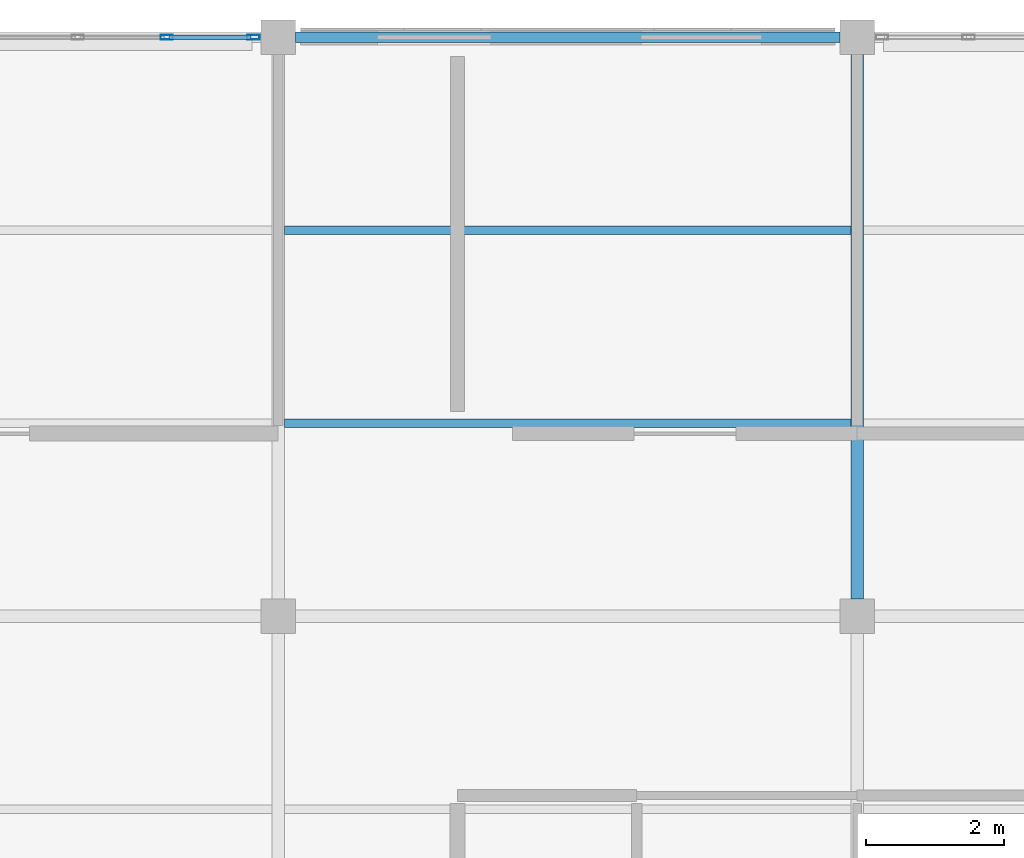
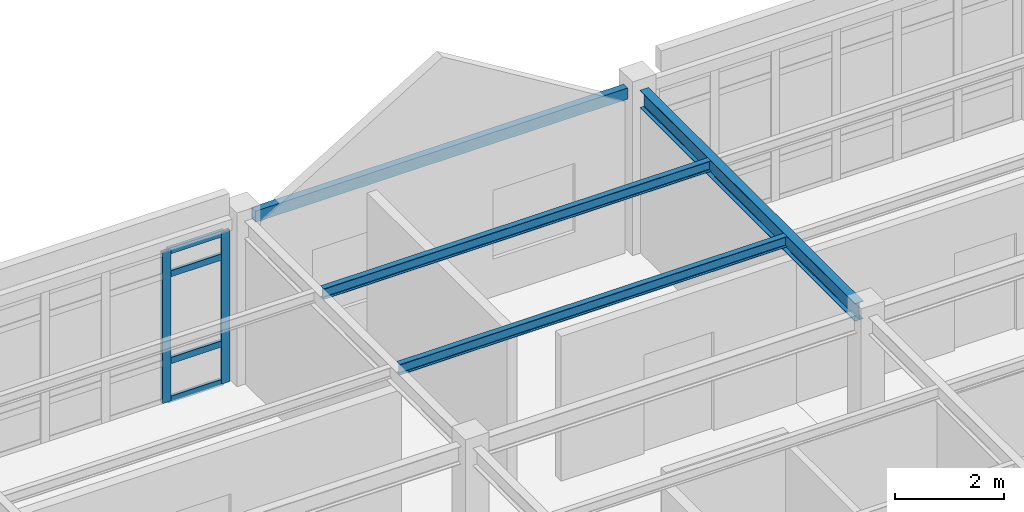
# One storey, part 25 of 45: 6 members, 4 beams, 1 element without a shape of its own.
"""IFC4 building model written with IfcOpenShell, lengths in metres."""

from ifc_helpers import new_model, si_unit, direction, frame, origin, origin_2d, place, context, subcontext, project, spatial, hollow_rectangle, i_section, extrude, material, layer, layer_set, material_profile, profile_set, type_object, element, aggregate, save


model = new_model("IFC4")

# Units and contexts
model_context = context("Model", 3, precision=1e-05, world=origin(), true_north=direction((0.0, 1.0)))
body_context = subcontext(model_context, "Body", "Model", "MODEL_VIEW")
ifc_project = project(units=[si_unit("LENGTHUNIT", "METRE"), si_unit("AREAUNIT", "SQUARE_METRE"), si_unit("VOLUMEUNIT", "CUBIC_METRE"), si_unit("PLANEANGLEUNIT", "RADIAN"), si_unit("MASSUNIT", "GRAM", prefix="KILO")], contexts=[model_context])

# Site, building, storey
site_placement = place(None, origin())
site = spatial("IfcSite", under=ifc_project, at=site_placement, CompositionType="ELEMENT")
building_placement = place(site_placement, origin())
building = spatial("IfcBuilding", under=site, at=building_placement, Name="Bramfleet General Hospital", CompositionType="ELEMENT")
storey_placement = place(building_placement, frame((0.0, 0.0, 30.300048828125)))
storey = spatial("IfcBuildingStorey", under=building, at=storey_placement, Name="L07", CompositionType="ELEMENT", Elevation=30.300048828125)

# Beams
ifc_material_1 = material(Name="Steel S355", Category="steel")
ifc_material_profile_1 = material_profile(ifc_material_1, i_section(OverallWidth=0.1201171875, OverallDepth=0.239990234375, WebThickness=0.006103515625, FlangeThickness=0.009765625, FilletRadius=0.014892578125, at=origin_2d()), Name="IPE 240")
ifc_profile_set_1 = profile_set([ifc_material_profile_1], Name="Steel S355")
beam_type_1 = type_object("IfcBeamType", Name="BM-IPE240", PredefinedType="JOIST", material=ifc_profile_set_1)
for number, where, z_axis, x_axis, name in (
    (1, (109.2900390625, 112.0, 3.5400390625), (1.0, 0.0, 0.0), (0.0, 1.0, 0.0), "L07 Secondary Joist 13-13-1"),
    (2, (109.2900390625, 114.800048828125, 3.5400390625), (1.0, 0.0, 0.0), (0.0, 1.0, 0.0), "L07 Secondary Joist 13-13-2"),
):
    element("IfcBeam", number, at=place(storey_placement, frame(where, z_axis=z_axis, x_axis=x_axis)), inside=storey, type_object=beam_type_1, Name=name, PredefinedType="JOIST", context=body_context, shape_type="SweptSolid", body=[
        extrude(i_section(OverallWidth=0.1201171875, OverallDepth=0.239990234375, WebThickness=0.006103515625, FlangeThickness=0.009765625, FilletRadius=0.014892578125, at=origin_2d()), origin(), (0.0, 0.0, 1.0), 8.219970703125),
    ])
ifc_material_profile_2 = material_profile(ifc_material_1, i_section(OverallWidth=0.179931640625, OverallDepth=0.39990234375, WebThickness=0.008544921875, FlangeThickness=0.013427734375, FilletRadius=0.02099609375, at=origin_2d()), Name="IPE 400")
ifc_profile_set_2 = profile_set([ifc_material_profile_2], Name="Steel S355")
beam_type_2 = type_object("IfcBeamType", Name="BM-IPE400", PredefinedType="BEAM", material=ifc_profile_set_2)
beam_1_placement = place(storey_placement, frame((117.60009765625, 109.449951171875, 3.4599609375), z_axis=(0.0, 1.0, 0.0), x_axis=(-1.0, 0.0, 0.0)))
element("IfcBeam", 3, at=beam_1_placement, inside=storey, type_object=beam_type_2, Name="L07 Grid Beam Y 14-13", PredefinedType="BEAM", context=body_context, shape_type="SweptSolid", body=[
    extrude(i_section(OverallWidth=0.179931640625, OverallDepth=0.39990234375, WebThickness=0.008544921875, FlangeThickness=0.013427734375, FilletRadius=0.02099609375, at=origin_2d()), origin(), (0.0, 0.0, 1.0), 7.900146484375),
])
ifc_material_profile_3 = material_profile(ifc_material_1, hollow_rectangle(XDim=0.14990234375, YDim=0.25, WallThickness=0.010009765625, at=origin_2d()), Name="RHS 250x150x10.0")
ifc_profile_set_3 = profile_set([ifc_material_profile_3], Name="Steel S355")
beam_type_3 = type_object("IfcBeamType", Name="BM-RHS250", PredefinedType="SPANDREL", material=ifc_profile_set_3)
beam_2_placement = place(storey_placement, frame((109.449951171875, 117.60009765625, 3.534912109375), z_axis=(1.0, 0.0, 0.0), x_axis=(0.0, 1.0, 0.0)))
element("IfcBeam", 4, at=beam_2_placement, inside=storey, type_object=beam_type_3, Name="L07 Grid Beam X 13-14", PredefinedType="SPANDREL", context=body_context, shape_type="SweptSolid", body=[
    extrude(hollow_rectangle(XDim=0.14990234375, YDim=0.25, WallThickness=0.010009765625, at=origin_2d()), origin(), (0.0, 0.0, 1.0), 7.900146484375),
])

# Curtain wall, members
ifc_material_2 = material(Name="Anodised aluminium and low-E triple glazing", Category="aluminium")
ifc_layer = layer(ifc_material_2, 0.179931640625, Name="CWT-CW-09")
ifc_layer_set = layer_set([ifc_layer], Name="Anodised aluminium and low-E triple glazing")
curtain_wall_type = type_object("IfcCurtainWallType", Name="CWT-CW-09", PredefinedType="USERDEFINED", material=ifc_layer_set)
curtain_wall_placement = place(storey_placement, origin())
curtain_wall = element("IfcCurtainWall", 5, at=curtain_wall_placement, inside=storey, type_object=curtain_wall_type, Name="L07 Curtain Wall 225", ObjectType="Unitised curtain wall", PredefinedType="USERDEFINED")
ifc_material_3 = material(Name="Anodised aluminium EN AW-6060", Category="aluminium")
ifc_material_profile_4 = material_profile(ifc_material_3, hollow_rectangle(XDim=0.070068359375, YDim=0.179931640625, WallThickness=0.00390625, at=origin_2d()), Name="ALU 180x70x4.0")
ifc_profile_set_4 = profile_set([ifc_material_profile_4], Name="Anodised aluminium EN AW-6060")
member_type_1 = type_object("IfcMemberType", Name="CWM-ALU180", PredefinedType="MULLION", material=ifc_profile_set_4)
member_1_placement = place(storey_placement, frame((107.583251953125, 117.60009765625, 0.0), z_axis=(0.0, 0.0, 1.0), x_axis=(0.0, 1.0, 0.0)))
member_1 = element("IfcMember", 6, at=member_1_placement, type_object=member_type_1, Name="CW-09 mullion 6", PredefinedType="MULLION", context=body_context, shape_type="SweptSolid", body=[
    extrude(hollow_rectangle(XDim=0.070068359375, YDim=0.179931640625, WallThickness=0.00390625, at=origin_2d()), origin(), (0.0, 0.0, 1.0), 3.39990234375),
])
member_2_placement = place(storey_placement, frame((108.840087890625, 117.60009765625, 0.0), z_axis=(0.0, 0.0, 1.0), x_axis=(0.0, 1.0, 0.0)))
member_2 = element("IfcMember", 7, at=member_2_placement, type_object=member_type_1, Name="CW-09 mullion 7", PredefinedType="MULLION", context=body_context, shape_type="SweptSolid", body=[
    extrude(hollow_rectangle(XDim=0.070068359375, YDim=0.179931640625, WallThickness=0.00390625, at=origin_2d()), origin(), (0.0, 0.0, 1.0), 3.39990234375),
])
ifc_material_profile_5 = material_profile(ifc_material_3, hollow_rectangle(XDim=0.06494140625, YDim=0.139892578125, WallThickness=0.00390625, at=origin_2d()), Name="ALU 140x65x4.0")
ifc_profile_set_5 = profile_set([ifc_material_profile_5], Name="Anodised aluminium EN AW-6060")
member_type_2 = type_object("IfcMemberType", Name="CWT-ALU140", PredefinedType="USERDEFINED", material=ifc_profile_set_5)
member_3_placement = place(storey_placement, frame((107.618408203125, 117.60009765625, 0.032470703125), z_axis=(1.0, 0.0, 0.0), x_axis=(0.0, 1.0, 0.0)))
member_3 = element("IfcMember", 8, at=member_3_placement, type_object=member_type_2, Name="CW-09 transom 6.1", ObjectType="TRANSOM", PredefinedType="USERDEFINED", context=body_context, shape_type="SweptSolid", body=[
    extrude(hollow_rectangle(XDim=0.06494140625, YDim=0.139892578125, WallThickness=0.00390625, at=origin_2d()), origin(), (0.0, 0.0, 1.0), 1.1865234375),
])
member_4_placement = place(storey_placement, frame((107.618408203125, 117.60009765625, 0.89990234375), z_axis=(1.0, 0.0, 0.0), x_axis=(0.0, 1.0, 0.0)))
member_4 = element("IfcMember", 9, at=member_4_placement, type_object=member_type_2, Name="CW-09 transom 6.2", ObjectType="TRANSOM", PredefinedType="USERDEFINED", context=body_context, shape_type="SweptSolid", body=[
    extrude(hollow_rectangle(XDim=0.06494140625, YDim=0.139892578125, WallThickness=0.00390625, at=origin_2d()), origin(), (0.0, 0.0, 1.0), 1.1865234375),
])
member_5_placement = place(storey_placement, frame((107.618408203125, 117.60009765625, 2.849853515625), z_axis=(1.0, 0.0, 0.0), x_axis=(0.0, 1.0, 0.0)))
member_5 = element("IfcMember", 10, at=member_5_placement, type_object=member_type_2, Name="CW-09 transom 6.3", ObjectType="TRANSOM", PredefinedType="USERDEFINED", context=body_context, shape_type="SweptSolid", body=[
    extrude(hollow_rectangle(XDim=0.06494140625, YDim=0.139892578125, WallThickness=0.00390625, at=origin_2d()), origin(), (0.0, 0.0, 1.0), 1.1865234375),
])
member_6_placement = place(storey_placement, frame((107.618408203125, 117.60009765625, 3.367431640625), z_axis=(1.0, 0.0, 0.0), x_axis=(0.0, 1.0, 0.0)))
member_6 = element("IfcMember", 11, at=member_6_placement, type_object=member_type_2, Name="CW-09 transom 6.4", ObjectType="TRANSOM", PredefinedType="USERDEFINED", context=body_context, shape_type="SweptSolid", body=[
    extrude(hollow_rectangle(XDim=0.06494140625, YDim=0.139892578125, WallThickness=0.00390625, at=origin_2d()), origin(), (0.0, 0.0, 1.0), 1.1865234375),
])
aggregate(curtain_wall, [member_1, member_2, member_3, member_4, member_5, member_6])

save(model, "model.ifc")
